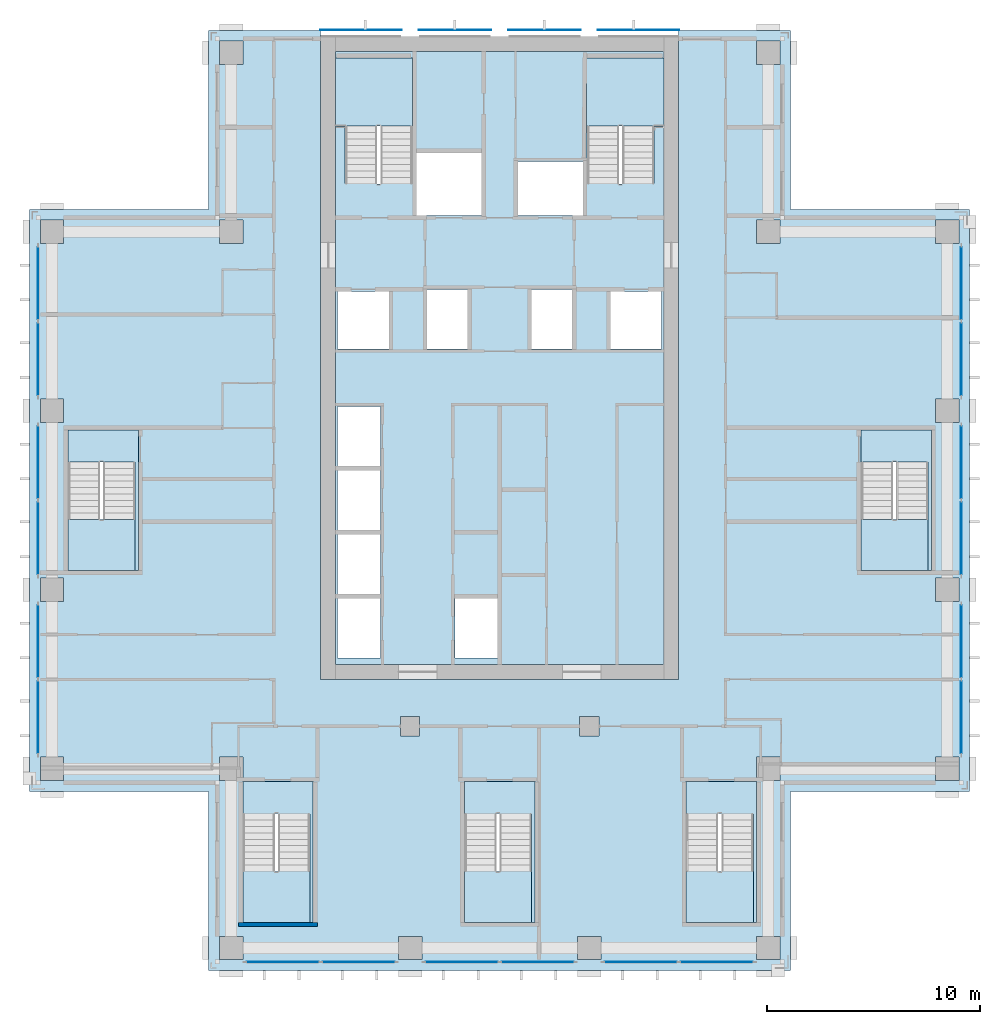
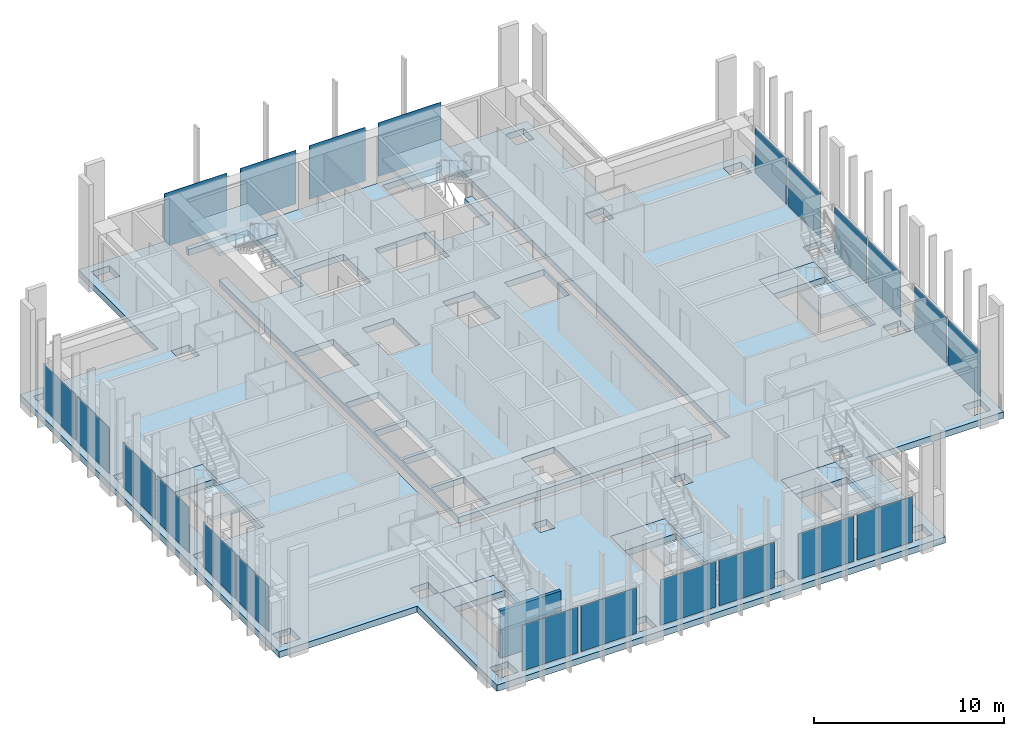
# One storey, part 8 of 17: 22 plates, 14 slabs, 1 wall, 16 elements without a shape of their own.
"""IFC4 building model written with IfcOpenShell, lengths in metres."""

from ifc_helpers import new_model, si_unit, direction, frame, frame_2d, origin, origin_2d, place, context, subcontext, project, spatial, polyline, rectangle, outline, extrude, material, layer, layer_set, type_object, element, aggregate, save


model = new_model("IFC4")

# Units and contexts
model_context = context("Model", 3, precision=1e-05, world=origin(), true_north=direction((0.0, 1.0)))
body_context = subcontext(model_context, "Body", "Model", "MODEL_VIEW")
ifc_project = project(units=[si_unit("LENGTHUNIT", "METRE"), si_unit("AREAUNIT", "SQUARE_METRE"), si_unit("VOLUMEUNIT", "CUBIC_METRE"), si_unit("PLANEANGLEUNIT", "RADIAN"), si_unit("MASSUNIT", "GRAM", prefix="KILO")], contexts=[model_context])

# Site, building, storey
site_placement = place(None, origin())
site = spatial("IfcSite", under=ifc_project, at=site_placement, CompositionType="ELEMENT")
building_placement = place(site_placement, origin())
building = spatial("IfcBuilding", under=site, at=building_placement, Name="Vermilion Ogive Tower", CompositionType="ELEMENT")
storey_placement = place(building_placement, frame((0.0, 0.0, 157.25)))
storey = spatial("IfcBuildingStorey", under=building, at=storey_placement, Name="L40", CompositionType="ELEMENT", Elevation=157.25)

# Curtain wall, plates
ifc_material_1 = material(Name="Low-iron laminated glazing in aluminium frame", Category="aluminium")
curtain_wall_type = type_object("IfcCurtainWallType", Name="Curtain wall CW7", PredefinedType="NOTDEFINED", material=ifc_material_1)
curtain_wall_1_placement = place(storey_placement, origin())
curtain_wall_1 = element("IfcCurtainWall", 1, at=curtain_wall_1_placement, inside=storey, type_object=curtain_wall_type, Name="Glazed skin S1", PredefinedType="NOTDEFINED")
ifc_material_2 = material(Name="Low-iron laminated glazing in aluminium frame", Category="aluminium")
ifc_layer_1 = layer(ifc_material_2, 0.031982421875)
ifc_layer_set_1 = layer_set([ifc_layer_1], Name="CW7 glazing panel 32")
plate_type_1 = type_object("IfcPlateType", Name="CW7 glazing panel 32", PredefinedType="CURTAIN_PANEL", material=ifc_layer_set_1)
plate_1_placement = place(storey_placement, frame((-10.179931640625, -21.64990234375, 0.06005859375), z_axis=(0.0, 0.0, 1.0), x_axis=(1.0, 0.0, 0.0)))
plate_1 = element("IfcPlate", 2, at=plate_1_placement, type_object=plate_type_1, Name="CW7-S1 panel 1.1", PredefinedType="CURTAIN_PANEL", context=body_context, shape_type="SweptSolid", body=[
    extrude(rectangle(XDim=3.3798828125, YDim=0.031982421875, at=origin_2d()), origin(), (0.0, 0.0, 1.0), 2.929931640625),
])
plate_2_placement = place(storey_placement, frame((-6.6201171875, -21.64990234375, 0.06005859375), z_axis=(0.0, 0.0, 1.0), x_axis=(1.0, 0.0, 0.0)))
plate_2 = element("IfcPlate", 3, at=plate_2_placement, type_object=plate_type_1, Name="CW7-S1 panel 2.1", PredefinedType="CURTAIN_PANEL", context=body_context, shape_type="SweptSolid", body=[
    extrude(rectangle(XDim=3.3798828125, YDim=0.031982421875, at=origin_2d()), origin(), (0.0, 0.0, 1.0), 2.929931640625),
])
aggregate(curtain_wall_1, [plate_1, plate_2])

curtain_wall_2_placement = place(storey_placement, origin())
curtain_wall_2 = element("IfcCurtainWall", 4, at=curtain_wall_2_placement, inside=storey, type_object=curtain_wall_type, Name="Glazed skin S2", PredefinedType="NOTDEFINED")
plate_3_placement = place(storey_placement, frame((-1.780029296875, -21.64990234375, 0.06005859375), z_axis=(0.0, 0.0, 1.0), x_axis=(1.0, 0.0, 0.0)))
plate_3 = element("IfcPlate", 5, at=plate_3_placement, type_object=plate_type_1, Name="CW7-S2 panel 1.1", PredefinedType="CURTAIN_PANEL", context=body_context, shape_type="SweptSolid", body=[
    extrude(rectangle(XDim=3.3798828125, YDim=0.031982421875, at=origin_2d()), origin(), (0.0, 0.0, 1.0), 2.929931640625),
])
plate_4_placement = place(storey_placement, frame((1.780029296875, -21.64990234375, 0.06005859375), z_axis=(0.0, 0.0, 1.0), x_axis=(1.0, 0.0, 0.0)))
plate_4 = element("IfcPlate", 6, at=plate_4_placement, type_object=plate_type_1, Name="CW7-S2 panel 2.1", PredefinedType="CURTAIN_PANEL", context=body_context, shape_type="SweptSolid", body=[
    extrude(rectangle(XDim=3.3798828125, YDim=0.031982421875, at=origin_2d()), origin(), (0.0, 0.0, 1.0), 2.929931640625),
])
aggregate(curtain_wall_2, [plate_3, plate_4])

curtain_wall_3_placement = place(storey_placement, origin())
curtain_wall_3 = element("IfcCurtainWall", 7, at=curtain_wall_3_placement, inside=storey, type_object=curtain_wall_type, Name="Glazed skin S3", PredefinedType="NOTDEFINED")
plate_5_placement = place(storey_placement, frame((6.6201171875, -21.64990234375, 0.06005859375), z_axis=(0.0, 0.0, 1.0), x_axis=(1.0, 0.0, 0.0)))
plate_5 = element("IfcPlate", 8, at=plate_5_placement, type_object=plate_type_1, Name="CW7-S3 panel 1.1", PredefinedType="CURTAIN_PANEL", context=body_context, shape_type="SweptSolid", body=[
    extrude(rectangle(XDim=3.3798828125, YDim=0.031982421875, at=origin_2d()), origin(), (0.0, 0.0, 1.0), 2.929931640625),
])
plate_6_placement = place(storey_placement, frame((10.179931640625, -21.64990234375, 0.06005859375), z_axis=(0.0, 0.0, 1.0), x_axis=(1.0, 0.0, 0.0)))
plate_6 = element("IfcPlate", 9, at=plate_6_placement, type_object=plate_type_1, Name="CW7-S3 panel 2.1", PredefinedType="CURTAIN_PANEL", context=body_context, shape_type="SweptSolid", body=[
    extrude(rectangle(XDim=3.3798828125, YDim=0.031982421875, at=origin_2d()), origin(), (0.0, 0.0, 1.0), 2.929931640625),
])
aggregate(curtain_wall_3, [plate_5, plate_6])

curtain_wall_4_placement = place(storey_placement, origin())
curtain_wall_4 = element("IfcCurtainWall", 10, at=curtain_wall_4_placement, inside=storey, type_object=curtain_wall_type, Name="Glazed skin E1", PredefinedType="NOTDEFINED")
plate_7_placement = place(storey_placement, frame((21.64990234375, -10.179931640625, 0.06005859375), z_axis=(0.0, 0.0, 1.0), x_axis=(0.0, 1.0, 0.0)))
plate_7 = element("IfcPlate", 11, at=plate_7_placement, type_object=plate_type_1, Name="CW7-E1 panel 1.1", PredefinedType="CURTAIN_PANEL", context=body_context, shape_type="SweptSolid", body=[
    extrude(rectangle(XDim=3.3798828125, YDim=0.031982421875, at=origin_2d()), origin(), (0.0, 0.0, 1.0), 2.929931640625),
])
plate_8_placement = place(storey_placement, frame((21.64990234375, -6.6201171875, 0.06005859375), z_axis=(0.0, 0.0, 1.0), x_axis=(0.0, 1.0, 0.0)))
plate_8 = element("IfcPlate", 12, at=plate_8_placement, type_object=plate_type_1, Name="CW7-E1 panel 2.1", PredefinedType="CURTAIN_PANEL", context=body_context, shape_type="SweptSolid", body=[
    extrude(rectangle(XDim=3.3798828125, YDim=0.031982421875, at=origin_2d()), origin(), (0.0, 0.0, 1.0), 2.929931640625),
])
aggregate(curtain_wall_4, [plate_7, plate_8])

curtain_wall_5_placement = place(storey_placement, origin())
curtain_wall_5 = element("IfcCurtainWall", 13, at=curtain_wall_5_placement, inside=storey, type_object=curtain_wall_type, Name="Glazed skin E2", PredefinedType="NOTDEFINED")
plate_9_placement = place(storey_placement, frame((21.64990234375, -1.780029296875, 0.06005859375), z_axis=(0.0, 0.0, 1.0), x_axis=(0.0, 1.0, 0.0)))
plate_9 = element("IfcPlate", 14, at=plate_9_placement, type_object=plate_type_1, Name="CW7-E2 panel 1.1", PredefinedType="CURTAIN_PANEL", context=body_context, shape_type="SweptSolid", body=[
    extrude(rectangle(XDim=3.3798828125, YDim=0.031982421875, at=origin_2d()), origin(), (0.0, 0.0, 1.0), 2.929931640625),
])
plate_10_placement = place(storey_placement, frame((21.64990234375, 1.780029296875, 0.06005859375), z_axis=(0.0, 0.0, 1.0), x_axis=(0.0, 1.0, 0.0)))
plate_10 = element("IfcPlate", 15, at=plate_10_placement, type_object=plate_type_1, Name="CW7-E2 panel 2.1", PredefinedType="CURTAIN_PANEL", context=body_context, shape_type="SweptSolid", body=[
    extrude(rectangle(XDim=3.3798828125, YDim=0.031982421875, at=origin_2d()), origin(), (0.0, 0.0, 1.0), 2.929931640625),
])
aggregate(curtain_wall_5, [plate_9, plate_10])

curtain_wall_6_placement = place(storey_placement, origin())
curtain_wall_6 = element("IfcCurtainWall", 16, at=curtain_wall_6_placement, inside=storey, type_object=curtain_wall_type, Name="Glazed skin E3", PredefinedType="NOTDEFINED")
plate_11_placement = place(storey_placement, frame((21.64990234375, 6.6201171875, 0.06005859375), z_axis=(0.0, 0.0, 1.0), x_axis=(0.0, 1.0, 0.0)))
plate_11 = element("IfcPlate", 17, at=plate_11_placement, type_object=plate_type_1, Name="CW7-E3 panel 1.1", PredefinedType="CURTAIN_PANEL", context=body_context, shape_type="SweptSolid", body=[
    extrude(rectangle(XDim=3.3798828125, YDim=0.031982421875, at=origin_2d()), origin(), (0.0, 0.0, 1.0), 2.929931640625),
])
plate_12_placement = place(storey_placement, frame((21.64990234375, 10.179931640625, 0.06005859375), z_axis=(0.0, 0.0, 1.0), x_axis=(0.0, 1.0, 0.0)))
plate_12 = element("IfcPlate", 18, at=plate_12_placement, type_object=plate_type_1, Name="CW7-E3 panel 2.1", PredefinedType="CURTAIN_PANEL", context=body_context, shape_type="SweptSolid", body=[
    extrude(rectangle(XDim=3.3798828125, YDim=0.031982421875, at=origin_2d()), origin(), (0.0, 0.0, 1.0), 2.929931640625),
])
aggregate(curtain_wall_6, [plate_11, plate_12])

curtain_wall_7_placement = place(storey_placement, origin())
curtain_wall_7 = element("IfcCurtainWall", 19, at=curtain_wall_7_placement, inside=storey, type_object=curtain_wall_type, Name="Glazed skin W1", PredefinedType="NOTDEFINED")
plate_13_placement = place(storey_placement, frame((-21.64990234375, 10.179931640625, 0.06005859375), z_axis=(0.0, 0.0, 1.0), x_axis=(0.0, -1.0, 0.0)))
plate_13 = element("IfcPlate", 20, at=plate_13_placement, type_object=plate_type_1, Name="CW7-W1 panel 1.1", PredefinedType="CURTAIN_PANEL", context=body_context, shape_type="SweptSolid", body=[
    extrude(rectangle(XDim=3.3798828125, YDim=0.031982421875, at=origin_2d()), origin(), (0.0, 0.0, 1.0), 2.929931640625),
])
plate_14_placement = place(storey_placement, frame((-21.64990234375, 6.6201171875, 0.06005859375), z_axis=(0.0, 0.0, 1.0), x_axis=(0.0, -1.0, 0.0)))
plate_14 = element("IfcPlate", 21, at=plate_14_placement, type_object=plate_type_1, Name="CW7-W1 panel 2.1", PredefinedType="CURTAIN_PANEL", context=body_context, shape_type="SweptSolid", body=[
    extrude(rectangle(XDim=3.3798828125, YDim=0.031982421875, at=origin_2d()), origin(), (0.0, 0.0, 1.0), 2.929931640625),
])
aggregate(curtain_wall_7, [plate_13, plate_14])

curtain_wall_8_placement = place(storey_placement, origin())
curtain_wall_8 = element("IfcCurtainWall", 22, at=curtain_wall_8_placement, inside=storey, type_object=curtain_wall_type, Name="Glazed skin W2", PredefinedType="NOTDEFINED")
plate_15_placement = place(storey_placement, frame((-21.64990234375, 1.780029296875, 0.06005859375), z_axis=(0.0, 0.0, 1.0), x_axis=(0.0, -1.0, 0.0)))
plate_15 = element("IfcPlate", 23, at=plate_15_placement, type_object=plate_type_1, Name="CW7-W2 panel 1.1", PredefinedType="CURTAIN_PANEL", context=body_context, shape_type="SweptSolid", body=[
    extrude(rectangle(XDim=3.3798828125, YDim=0.031982421875, at=origin_2d()), origin(), (0.0, 0.0, 1.0), 2.929931640625),
])
plate_16_placement = place(storey_placement, frame((-21.64990234375, -1.780029296875, 0.06005859375), z_axis=(0.0, 0.0, 1.0), x_axis=(0.0, -1.0, 0.0)))
plate_16 = element("IfcPlate", 24, at=plate_16_placement, type_object=plate_type_1, Name="CW7-W2 panel 2.1", PredefinedType="CURTAIN_PANEL", context=body_context, shape_type="SweptSolid", body=[
    extrude(rectangle(XDim=3.3798828125, YDim=0.031982421875, at=origin_2d()), origin(), (0.0, 0.0, 1.0), 2.929931640625),
])
aggregate(curtain_wall_8, [plate_15, plate_16])

curtain_wall_9_placement = place(storey_placement, origin())
curtain_wall_9 = element("IfcCurtainWall", 25, at=curtain_wall_9_placement, inside=storey, type_object=curtain_wall_type, Name="Glazed skin W3", PredefinedType="NOTDEFINED")
plate_17_placement = place(storey_placement, frame((-21.64990234375, -6.6201171875, 0.06005859375), z_axis=(0.0, 0.0, 1.0), x_axis=(0.0, -1.0, 0.0)))
plate_17 = element("IfcPlate", 26, at=plate_17_placement, type_object=plate_type_1, Name="CW7-W3 panel 1.1", PredefinedType="CURTAIN_PANEL", context=body_context, shape_type="SweptSolid", body=[
    extrude(rectangle(XDim=3.3798828125, YDim=0.031982421875, at=origin_2d()), origin(), (0.0, 0.0, 1.0), 2.929931640625),
])
plate_18_placement = place(storey_placement, frame((-21.64990234375, -10.179931640625, 0.06005859375), z_axis=(0.0, 0.0, 1.0), x_axis=(0.0, -1.0, 0.0)))
plate_18 = element("IfcPlate", 27, at=plate_18_placement, type_object=plate_type_1, Name="CW7-W3 panel 2.1", PredefinedType="CURTAIN_PANEL", context=body_context, shape_type="SweptSolid", body=[
    extrude(rectangle(XDim=3.3798828125, YDim=0.031982421875, at=origin_2d()), origin(), (0.0, 0.0, 1.0), 2.929931640625),
])
aggregate(curtain_wall_9, [plate_17, plate_18])

# Slabs
ifc_material_3 = material(Name="Concrete B40", Category="concrete")
ifc_layer_2 = layer(ifc_material_3, 0.39990234375)
ifc_layer_set_2 = layer_set([ifc_layer_2], Name="Core floor slab 400 B40")
slab_type_1 = type_object("IfcSlabType", Name="Core floor slab 400 B40", PredefinedType="FLOOR", material=ifc_layer_set_2)
slab_1_placement = place(storey_placement, frame((0.0, 0.0, -0.39990234375)))
element("IfcSlab", 28, at=slab_1_placement, inside=storey, type_object=slab_type_1, Name="L40-CK-FS1", PredefinedType="FLOOR", context=body_context, shape_type="SweptSolid", body=[
    extrude(outline(polyline([(5.75, 14.85009765625), (5.60009765625, 14.85009765625), (5.60009765625, 14.85205078125), (4.10009765625, 14.85205078125), (4.10009765625, 17.550048828125), (4.074951171875, 17.550048828125), (4.074951171875, 20.75), (7.696044921875, 20.75), (7.696044921875, 21.0458984375), (-7.696044921875, 21.0458984375), (-7.696044921875, 20.75), (-4.10009765625, 20.75), (-4.10009765625, 14.85205078125), (-5.60009765625, 14.85205078125), (-5.60009765625, 14.85009765625), (-5.75, 14.85009765625), (-5.75, 14.85205078125), (-7.25, 14.85205078125), (-7.25, 17.550048828125), (-7.696044921875, 17.550048828125), (-7.696044921875, -7.696044921875), (7.696044921875, -7.696044921875), (7.696044921875, 17.550048828125), (7.25, 17.550048828125), (7.25, 14.85205078125), (5.75, 14.85205078125), (5.75, 14.85009765625)]), holes=[polyline([(-7.60009765625, -7.39990234375), (-7.60009765625, -4.60009765625), (-5.60009765625, -4.60009765625), (-5.60009765625, -7.39990234375), (-7.60009765625, -7.39990234375)]), polyline([(-7.60009765625, -4.39990234375), (-7.60009765625, -1.60009765625), (-5.60009765625, -1.60009765625), (-5.60009765625, -4.39990234375), (-7.60009765625, -4.39990234375)]), polyline([(-7.60009765625, -1.39990234375), (-7.60009765625, 1.39990234375), (-5.60009765625, 1.39990234375), (-5.60009765625, -1.39990234375), (-7.60009765625, -1.39990234375)]), polyline([(-7.60009765625, 1.60009765625), (-7.60009765625, 4.39990234375), (-5.60009765625, 4.39990234375), (-5.60009765625, 1.60009765625), (-7.60009765625, 1.60009765625)]), polyline([(-7.60009765625, 7.10009765625), (-7.60009765625, 9.800048828125), (-5.199951171875, 9.800048828125), (-5.199951171875, 7.10009765625), (-7.60009765625, 7.10009765625)]), polyline([(-3.39990234375, 9.89990234375), (-1.5, 9.89990234375), (-1.5, 7.10009765625), (-3.39990234375, 7.10009765625), (-3.39990234375, 9.89990234375)]), polyline([(-2.10009765625, -7.39990234375), (-2.10009765625, -4.60009765625), (-0.10009765625, -4.60009765625), (-0.10009765625, -7.39990234375), (-2.10009765625, -7.39990234375)]), polyline([(5.199951171875, 7.10009765625), (5.199951171875, 9.800048828125), (7.60009765625, 9.800048828125), (7.60009765625, 7.10009765625), (5.199951171875, 7.10009765625)]), polyline([(1.5, 7.10009765625), (1.5, 9.89990234375), (3.39990234375, 9.89990234375), (3.39990234375, 7.10009765625), (1.5, 7.10009765625)]), polyline([(0.85009765625, 13.35009765625), (0.85009765625, 15.89990234375), (3.89990234375, 15.89990234375), (3.89990234375, 13.35009765625), (0.85009765625, 13.35009765625)]), polyline([(-3.89990234375, 16.300048828125), (-0.85009765625, 16.300048828125), (-0.85009765625, 13.35009765625), (-3.89990234375, 13.35009765625), (-3.89990234375, 16.300048828125)])]), origin(), (0.0, 0.0, 1.0), 0.39990234375),
])
slab_2_placement = place(storey_placement, frame((0.0, 0.0, -0.39990234375)))
element("IfcSlab", 29, at=slab_2_placement, inside=storey, type_object=slab_type_1, Name="L40-SF-ST3-1", PredefinedType="FLOOR", context=body_context, shape_type="SweptSolid", body=[
    extrude(outline(polyline([(-12.050048828125, -13.199951171875), (-12.050048828125, -14.701904296875), (-10.550048828125, -14.701904296875), (-10.550048828125, -14.699951171875), (-10.39990234375, -14.699951171875), (-10.39990234375, -14.701904296875), (-8.89990234375, -14.701904296875), (-8.89990234375, -19.800048828125), (-8.75, -19.800048828125), (-8.75, -13.199951171875), (-12.050048828125, -13.199951171875)])), origin(), (0.0, 0.0, 1.0), 0.39990234375),
])
slab_3_placement = place(storey_placement, frame((0.0, 0.0, -0.39990234375)))
element("IfcSlab", 30, at=slab_3_placement, inside=storey, type_object=slab_type_1, Name="L40-SF-ST4-1", PredefinedType="FLOOR", context=body_context, shape_type="SweptSolid", body=[
    extrude(outline(polyline([(-1.64990234375, -13.199951171875), (-1.64990234375, -14.701904296875), (-0.14990234375, -14.701904296875), (-0.14990234375, -14.699951171875), (0.0, -14.699951171875), (0.0, -14.701904296875), (1.5, -14.701904296875), (1.5, -19.800048828125), (1.64990234375, -19.800048828125), (1.64990234375, -13.199951171875), (-1.64990234375, -13.199951171875)])), origin(), (0.0, 0.0, 1.0), 0.39990234375),
])
slab_4_placement = place(storey_placement, frame((0.0, 0.0, -0.39990234375)))
element("IfcSlab", 31, at=slab_4_placement, inside=storey, type_object=slab_type_1, Name="L40-SF-ST5-1", PredefinedType="FLOOR", context=body_context, shape_type="SweptSolid", body=[
    extrude(outline(polyline([(8.75, -13.199951171875), (8.75, -14.701904296875), (10.25, -14.701904296875), (10.25, -14.699951171875), (10.39990234375, -14.699951171875), (10.39990234375, -14.701904296875), (11.89990234375, -14.701904296875), (11.89990234375, -19.800048828125), (12.050048828125, -19.800048828125), (12.050048828125, -13.199951171875), (8.75, -13.199951171875)])), origin(), (0.0, 0.0, 1.0), 0.39990234375),
])
slab_5_placement = place(storey_placement, frame((0.0, 0.0, -0.39990234375)))
element("IfcSlab", 32, at=slab_5_placement, inside=storey, type_object=slab_type_1, Name="L40-SF-ST8-1", PredefinedType="FLOOR", context=body_context, shape_type="SweptSolid", body=[
    extrude(outline(polyline([(16.949951171875, 3.300048828125), (16.949951171875, 1.798095703125), (18.449951171875, 1.798095703125), (18.449951171875, 1.800048828125), (18.60009765625, 1.800048828125), (18.60009765625, 1.798095703125), (20.10009765625, 1.798095703125), (20.10009765625, -3.300048828125), (20.25, -3.300048828125), (20.25, 3.300048828125), (16.949951171875, 3.300048828125)])), origin(), (0.0, 0.0, 1.0), 0.39990234375),
])
slab_6_placement = place(storey_placement, frame((0.0, 0.0, -0.39990234375)))
element("IfcSlab", 33, at=slab_6_placement, inside=storey, type_object=slab_type_1, Name="L40-SF-ST9-1", PredefinedType="FLOOR", context=body_context, shape_type="SweptSolid", body=[
    extrude(outline(polyline([(-20.25, 3.300048828125), (-20.25, 1.798095703125), (-18.75, 1.798095703125), (-18.75, 1.800048828125), (-18.60009765625, 1.800048828125), (-18.60009765625, 1.798095703125), (-17.10009765625, 1.798095703125), (-17.10009765625, -3.300048828125), (-16.949951171875, -3.300048828125), (-16.949951171875, 3.300048828125), (-20.25, 3.300048828125)])), origin(), (0.0, 0.0, 1.0), 0.39990234375),
])

# Plates
ifc_material_4 = material(Name="Low-iron laminated glazing in aluminium frame", Category="aluminium")
ifc_layer_3 = layer(ifc_material_4, 0.031982421875)
ifc_layer_set_3 = layer_set([ifc_layer_3], Name="Glazed rainscreen sheet 32")
plate_type_2 = type_object("IfcPlateType", Name="Glazed rainscreen sheet 32", PredefinedType="SHEET", material=ifc_layer_set_3)
plate_19_placement = place(storey_placement, frame((-6.510009765625, 22.06591796875, -0.39990234375), z_axis=(0.0, 0.0, 1.0), x_axis=(1.0, 0.0, 0.0)))
element("IfcPlate", 34, at=plate_19_placement, inside=storey, type_object=plate_type_2, Name="Glazed rainscreen sheet N1", PredefinedType="SHEET", context=body_context, shape_type="SweptSolid", body=[
    extrude(rectangle(XDim=3.820068359375, YDim=0.031982421875, at=origin_2d()), origin(), (0.0, 0.0, 1.0), 3.449951171875),
])
for number, where, z_axis, x_axis, name in (
    (35, (-2.10009765625, 22.06591796875, -0.39990234375), (0.0, 0.0, 1.0), (1.0, 0.0, 0.0), "Glazed rainscreen sheet N2"),
    (36, (2.10009765625, 22.06591796875, -0.39990234375), (0.0, 0.0, 1.0), (1.0, 0.0, 0.0), "Glazed rainscreen sheet N3"),
):
    element("IfcPlate", number, at=place(storey_placement, frame(where, z_axis=z_axis, x_axis=x_axis)), inside=storey, type_object=plate_type_2, Name=name, PredefinedType="SHEET", context=body_context, shape_type="SweptSolid", body=[
        extrude(rectangle(XDim=3.39990234375, YDim=0.031982421875, at=origin_2d()), origin(), (0.0, 0.0, 1.0), 3.449951171875),
    ])
plate_20_placement = place(storey_placement, frame((6.510009765625, 22.06591796875, -0.39990234375), z_axis=(0.0, 0.0, 1.0), x_axis=(1.0, 0.0, 0.0)))
element("IfcPlate", 37, at=plate_20_placement, inside=storey, type_object=plate_type_2, Name="Glazed rainscreen sheet N4", PredefinedType="SHEET", context=body_context, shape_type="SweptSolid", body=[
    extrude(rectangle(XDim=3.820068359375, YDim=0.031982421875, at=origin_2d()), origin(), (0.0, 0.0, 1.0), 3.449951171875),
])

# Slab
ifc_material_5 = material(Name="Concrete B45", Category="concrete")
ifc_layer_4 = layer(ifc_material_5, 0.39990234375)
ifc_layer_set_4 = layer_set([ifc_layer_4], Name="Post-tensioned flat plate 400 B45")
slab_type_2 = type_object("IfcSlabType", Name="Post-tensioned flat plate 400 B45", PredefinedType="FLOOR", material=ifc_layer_set_4)
slab_7_placement = place(storey_placement, frame((0.0, 0.0, -0.39990234375)))
element("IfcSlab", 38, at=slab_7_placement, inside=storey, type_object=slab_type_2, Name="L40-SL-1", PredefinedType="FLOOR", context=body_context, shape_type="SweptSolid", body=[
    extrude(outline(polyline([(-13.64990234375, -13.64990234375), (-22.050048828125, -13.64990234375), (-22.050048828125, 13.64990234375), (-13.64990234375, 13.64990234375), (-13.64990234375, 22.050048828125), (-8.39990234375, 22.050048828125), (-8.39990234375, -8.39990234375), (8.39990234375, -8.39990234375), (8.39990234375, 22.050048828125), (13.64990234375, 22.050048828125), (13.64990234375, 13.64990234375), (22.050048828125, 13.64990234375), (22.050048828125, -13.64990234375), (13.64990234375, -13.64990234375), (13.64990234375, -22.050048828125), (-13.64990234375, -22.050048828125), (-13.64990234375, -13.64990234375)]), holes=[polyline([(21.550048828125, 12.050048828125), (21.550048828125, 13.14990234375), (20.449951171875, 13.14990234375), (20.449951171875, 12.050048828125), (21.550048828125, 12.050048828125)]), polyline([(21.550048828125, 3.64990234375), (21.550048828125, 4.75), (20.449951171875, 4.75), (20.449951171875, 3.64990234375), (21.550048828125, 3.64990234375)]), polyline([(21.550048828125, -4.75), (21.550048828125, -3.64990234375), (20.449951171875, -3.64990234375), (20.449951171875, -4.75), (21.550048828125, -4.75)]), polyline([(21.550048828125, -13.14990234375), (21.550048828125, -12.050048828125), (20.449951171875, -12.050048828125), (20.449951171875, -13.14990234375), (21.550048828125, -13.14990234375)]), polyline([(20.25, -3.300048828125), (20.25, 3.300048828125), (16.949951171875, 3.300048828125), (16.949951171875, -3.300048828125), (20.25, -3.300048828125)]), polyline([(13.14990234375, 20.449951171875), (13.14990234375, 21.550048828125), (12.050048828125, 21.550048828125), (12.050048828125, 20.449951171875), (13.14990234375, 20.449951171875)]), polyline([(13.14990234375, 12.050048828125), (13.14990234375, 13.14990234375), (12.050048828125, 13.14990234375), (12.050048828125, 12.050048828125), (13.14990234375, 12.050048828125)]), polyline([(13.14990234375, -13.14990234375), (13.14990234375, -12.050048828125), (12.050048828125, -12.050048828125), (12.050048828125, -13.14990234375), (13.14990234375, -13.14990234375)]), polyline([(13.14990234375, -21.550048828125), (13.14990234375, -20.449951171875), (12.050048828125, -20.449951171875), (12.050048828125, -21.550048828125), (13.14990234375, -21.550048828125)]), polyline([(12.050048828125, -19.800048828125), (12.050048828125, -13.199951171875), (8.75, -13.199951171875), (8.75, -19.800048828125), (12.050048828125, -19.800048828125)]), polyline([(4.75, -20.449951171875), (3.64990234375, -20.449951171875), (3.64990234375, -21.550048828125), (4.75, -21.550048828125), (4.75, -20.449951171875)]), polyline([(4.64990234375, -11.050048828125), (4.64990234375, -10.14990234375), (3.75, -10.14990234375), (3.75, -11.050048828125), (4.64990234375, -11.050048828125)]), polyline([(1.64990234375, -19.800048828125), (1.64990234375, -13.199951171875), (-1.64990234375, -13.199951171875), (-1.64990234375, -19.800048828125), (1.64990234375, -19.800048828125)]), polyline([(-3.64990234375, -21.550048828125), (-3.64990234375, -20.449951171875), (-4.75, -20.449951171875), (-4.75, -21.550048828125), (-3.64990234375, -21.550048828125)]), polyline([(-3.75, -11.050048828125), (-3.75, -10.14990234375), (-4.64990234375, -10.14990234375), (-4.64990234375, -11.050048828125), (-3.75, -11.050048828125)]), polyline([(-8.75, -19.800048828125), (-8.75, -13.199951171875), (-12.050048828125, -13.199951171875), (-12.050048828125, -19.800048828125), (-8.75, -19.800048828125)]), polyline([(-12.050048828125, 20.449951171875), (-12.050048828125, 21.550048828125), (-13.14990234375, 21.550048828125), (-13.14990234375, 20.449951171875), (-12.050048828125, 20.449951171875)]), polyline([(-12.050048828125, 12.050048828125), (-12.050048828125, 13.14990234375), (-13.14990234375, 13.14990234375), (-13.14990234375, 12.050048828125), (-12.050048828125, 12.050048828125)]), polyline([(-12.050048828125, -13.14990234375), (-12.050048828125, -12.050048828125), (-13.14990234375, -12.050048828125), (-13.14990234375, -13.14990234375), (-12.050048828125, -13.14990234375)]), polyline([(-12.050048828125, -20.449951171875), (-13.14990234375, -20.449951171875), (-13.14990234375, -21.550048828125), (-12.050048828125, -21.550048828125), (-12.050048828125, -20.449951171875)]), polyline([(-16.949951171875, -3.300048828125), (-16.949951171875, 3.300048828125), (-20.25, 3.300048828125), (-20.25, -3.300048828125), (-16.949951171875, -3.300048828125)]), polyline([(-20.449951171875, -13.14990234375), (-20.449951171875, -12.050048828125), (-21.550048828125, -12.050048828125), (-21.550048828125, -13.14990234375), (-20.449951171875, -13.14990234375)]), polyline([(-20.449951171875, 12.050048828125), (-20.449951171875, 13.14990234375), (-21.550048828125, 13.14990234375), (-21.550048828125, 12.050048828125), (-20.449951171875, 12.050048828125)]), polyline([(-20.449951171875, 3.64990234375), (-20.449951171875, 4.75), (-21.550048828125, 4.75), (-21.550048828125, 3.64990234375), (-20.449951171875, 3.64990234375)]), polyline([(-20.449951171875, -4.75), (-20.449951171875, -3.64990234375), (-21.550048828125, -3.64990234375), (-21.550048828125, -4.75), (-20.449951171875, -4.75)])]), origin(), (0.0, 0.0, 1.0), 0.39990234375),
])

# Stair, slab
ifc_material_6 = material(Name="Concrete B40", Category="concrete")
stair_type = type_object("IfcStairType", Name="Exit stair 1500", PredefinedType="HALF_TURN_STAIR", material=ifc_material_6)
stair_1_placement = place(storey_placement, origin())
stair_1 = element("IfcStair", 39, at=stair_1_placement, inside=storey, type_object=stair_type, Name="L40 Exit Stair ST1", PredefinedType="HALF_TURN_STAIR")
ifc_material_7 = material(Name="Concrete B40", Category="concrete")
ifc_layer_5 = layer(ifc_material_7, 0.199951171875)
ifc_layer_set_5 = layer_set([ifc_layer_5], Name="Stair landing 200")
slab_type_3 = type_object("IfcSlabType", Name="Stair landing 200", PredefinedType="LANDING", material=ifc_layer_set_5)
slab_8_placement = place(storey_placement, frame((0.0, 0.0, 1.52490234375)))
slab_8 = element("IfcSlab", 40, at=slab_8_placement, type_object=slab_type_3, Name="ST1 landing 1", PredefinedType="LANDING", context=body_context, shape_type="SweptSolid", body=[
    extrude(outline(polyline([(-7.699951171875, 17.550048828125), (-7.25, 17.550048828125), (-7.25, 17.548095703125), (-5.75, 17.548095703125), (-5.75, 17.550048828125), (-5.60009765625, 17.550048828125), (-5.60009765625, 17.548095703125), (-4.10009765625, 17.548095703125), (-4.10009765625, 20.75), (-7.699951171875, 20.75), (-7.699951171875, 17.550048828125)])), origin(), (0.0, 0.0, 1.0), 0.2001953125),
])
aggregate(stair_1, [slab_8])

stair_2_placement = place(storey_placement, origin())
stair_2 = element("IfcStair", 41, at=stair_2_placement, inside=storey, type_object=stair_type, Name="L40 Exit Stair ST2", PredefinedType="HALF_TURN_STAIR")
slab_9_placement = place(storey_placement, frame((0.0, 0.0, 1.52490234375)))
slab_9 = element("IfcSlab", 42, at=slab_9_placement, type_object=slab_type_3, Name="ST2 landing 1", PredefinedType="LANDING", context=body_context, shape_type="SweptSolid", body=[
    extrude(outline(polyline([(5.60009765625, 17.550048828125), (5.75, 17.550048828125), (5.75, 17.548095703125), (7.25, 17.548095703125), (7.25, 17.550048828125), (7.699951171875, 17.550048828125), (7.699951171875, 20.75), (4.074951171875, 20.75), (4.074951171875, 17.550048828125), (4.10009765625, 17.550048828125), (4.10009765625, 17.548095703125), (5.60009765625, 17.548095703125), (5.60009765625, 17.550048828125)])), origin(), (0.0, 0.0, 1.0), 0.2001953125),
])
aggregate(stair_2, [slab_9])

stair_3_placement = place(storey_placement, origin())
stair_3 = element("IfcStair", 43, at=stair_3_placement, inside=storey, type_object=stair_type, Name="L40 Exit Stair ST3", PredefinedType="HALF_TURN_STAIR")
slab_10_placement = place(storey_placement, frame((0.0, 0.0, 1.52490234375)))
slab_10 = element("IfcSlab", 44, at=slab_10_placement, type_object=slab_type_3, Name="ST3 landing 1", PredefinedType="LANDING", context=body_context, shape_type="SweptSolid", body=[
    extrude(outline(polyline([(-8.75, -17.39990234375), (-8.89990234375, -17.39990234375), (-8.89990234375, -17.39794921875), (-10.39990234375, -17.39794921875), (-10.39990234375, -17.39990234375), (-10.550048828125, -17.39990234375), (-10.550048828125, -17.39794921875), (-12.050048828125, -17.39794921875), (-12.050048828125, -17.402099609375), (-12.0498046875, -17.402099609375), (-12.0498046875, -19.7998046875), (-8.75, -19.7998046875), (-8.75, -17.39990234375)])), origin(), (0.0, 0.0, 1.0), 0.2001953125),
])
aggregate(stair_3, [slab_10])

stair_4_placement = place(storey_placement, origin())
stair_4 = element("IfcStair", 45, at=stair_4_placement, inside=storey, type_object=stair_type, Name="L40 Exit Stair ST4", PredefinedType="HALF_TURN_STAIR")
slab_11_placement = place(storey_placement, frame((0.0, 0.0, 1.52490234375)))
slab_11 = element("IfcSlab", 46, at=slab_11_placement, type_object=slab_type_3, Name="ST4 landing 1", PredefinedType="LANDING", context=body_context, shape_type="SweptSolid", body=[
    extrude(outline(polyline([(1.64990234375, -17.39990234375), (1.5, -17.39990234375), (1.5, -17.39794921875), (0.0, -17.39794921875), (0.0, -17.39990234375), (-0.14990234375, -17.39990234375), (-0.14990234375, -17.39794921875), (-1.64990234375, -17.39794921875), (-1.64990234375, -19.7998046875), (1.64990234375, -19.7998046875), (1.64990234375, -17.39990234375)])), origin(), (0.0, 0.0, 1.0), 0.2001953125),
])
aggregate(stair_4, [slab_11])

stair_5_placement = place(storey_placement, origin())
stair_5 = element("IfcStair", 47, at=stair_5_placement, inside=storey, type_object=stair_type, Name="L40 Exit Stair ST5", PredefinedType="HALF_TURN_STAIR")
slab_12_placement = place(storey_placement, frame((0.0, 0.0, 1.52490234375)))
slab_12 = element("IfcSlab", 48, at=slab_12_placement, type_object=slab_type_3, Name="ST5 landing 1", PredefinedType="LANDING", context=body_context, shape_type="SweptSolid", body=[
    extrude(outline(polyline([(12.0498046875, -17.39990234375), (11.89990234375, -17.39990234375), (11.89990234375, -17.39794921875), (10.39990234375, -17.39794921875), (10.39990234375, -17.39990234375), (10.25, -17.39990234375), (10.25, -17.39794921875), (8.75, -17.39794921875), (8.75, -17.39990234375), (8.75, -17.39990234375), (8.75, -19.7998046875), (12.0498046875, -19.7998046875), (12.0498046875, -17.39990234375)])), origin(), (0.0, 0.0, 1.0), 0.2001953125),
])
aggregate(stair_5, [slab_12])

stair_6_placement = place(storey_placement, origin())
stair_6 = element("IfcStair", 49, at=stair_6_placement, inside=storey, type_object=stair_type, Name="L40 Exit Stair ST8", PredefinedType="HALF_TURN_STAIR")
slab_13_placement = place(storey_placement, frame((0.0, 0.0, 1.52490234375)))
slab_13 = element("IfcSlab", 50, at=slab_13_placement, type_object=slab_type_3, Name="ST8 landing 1", PredefinedType="LANDING", context=body_context, shape_type="SweptSolid", body=[
    extrude(outline(polyline([(20.25, -0.89990234375), (20.10009765625, -0.89990234375), (20.10009765625, -0.89794921875), (18.60009765625, -0.89794921875), (18.60009765625, -0.89990234375), (18.449951171875, -0.89990234375), (18.449951171875, -0.89794921875), (16.949951171875, -0.89794921875), (16.949951171875, -0.902099609375), (16.9501953125, -0.902099609375), (16.9501953125, -3.2998046875), (20.25, -3.2998046875), (20.25, -0.89990234375)])), origin(), (0.0, 0.0, 1.0), 0.2001953125),
])
aggregate(stair_6, [slab_13])

stair_7_placement = place(storey_placement, origin())
stair_7 = element("IfcStair", 51, at=stair_7_placement, inside=storey, type_object=stair_type, Name="L40 Exit Stair ST9", PredefinedType="HALF_TURN_STAIR")
slab_14_placement = place(storey_placement, frame((0.0, 0.0, 1.52490234375)))
slab_14 = element("IfcSlab", 52, at=slab_14_placement, type_object=slab_type_3, Name="ST9 landing 1", PredefinedType="LANDING", context=body_context, shape_type="SweptSolid", body=[
    extrude(outline(polyline([(-16.9501953125, -0.89990234375), (-17.10009765625, -0.89990234375), (-17.10009765625, -0.89794921875), (-18.60009765625, -0.89794921875), (-18.60009765625, -0.89990234375), (-18.75, -0.89990234375), (-18.75, -0.89794921875), (-20.25, -0.89794921875), (-20.25, -0.89990234375), (-20.25, -0.89990234375), (-20.25, -3.2998046875), (-16.9501953125, -3.2998046875), (-16.9501953125, -0.89990234375)])), origin(), (0.0, 0.0, 1.0), 0.2001953125),
])
aggregate(stair_7, [slab_14])

# Wall
ifc_material_8 = material(Name="Concrete B60", Category="concrete")
ifc_layer_6 = layer(ifc_material_8, 0.199951171875)
ifc_layer_set_6 = layer_set([ifc_layer_6], Name="Stair shaft wall 200 Concrete B60")
wall_type = type_object("IfcWallType", Name="Stair shaft wall 200 Concrete B60", PredefinedType="SOLIDWALL", material=ifc_layer_set_6)
wall_placement = place(storey_placement, frame((-12.248046875, -19.89990234375, 0.0), z_axis=(0.0, 0.0, 1.0), x_axis=(1.0, 0.0, 0.0)))
element("IfcWall", 53, at=wall_placement, inside=storey, type_object=wall_type, Name="L40-W-W001", PredefinedType="SOLIDWALL", context=body_context, shape_type="SweptSolid", body=[
    extrude(rectangle(XDim=3.696044921875, YDim=0.199951171875, at=frame_2d((1.84814453125, 0.0))), origin(), (0.0, 0.0, 1.0), 3.050048828125),
])

save(model, "model.ifc")
